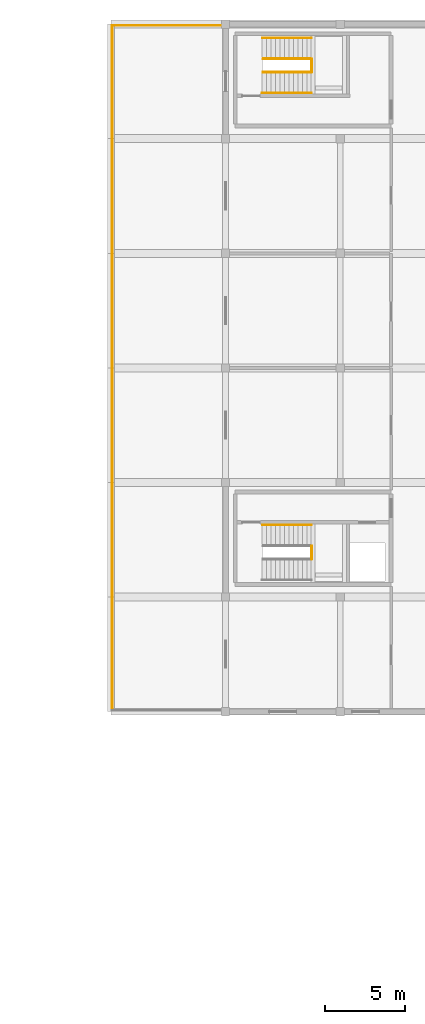
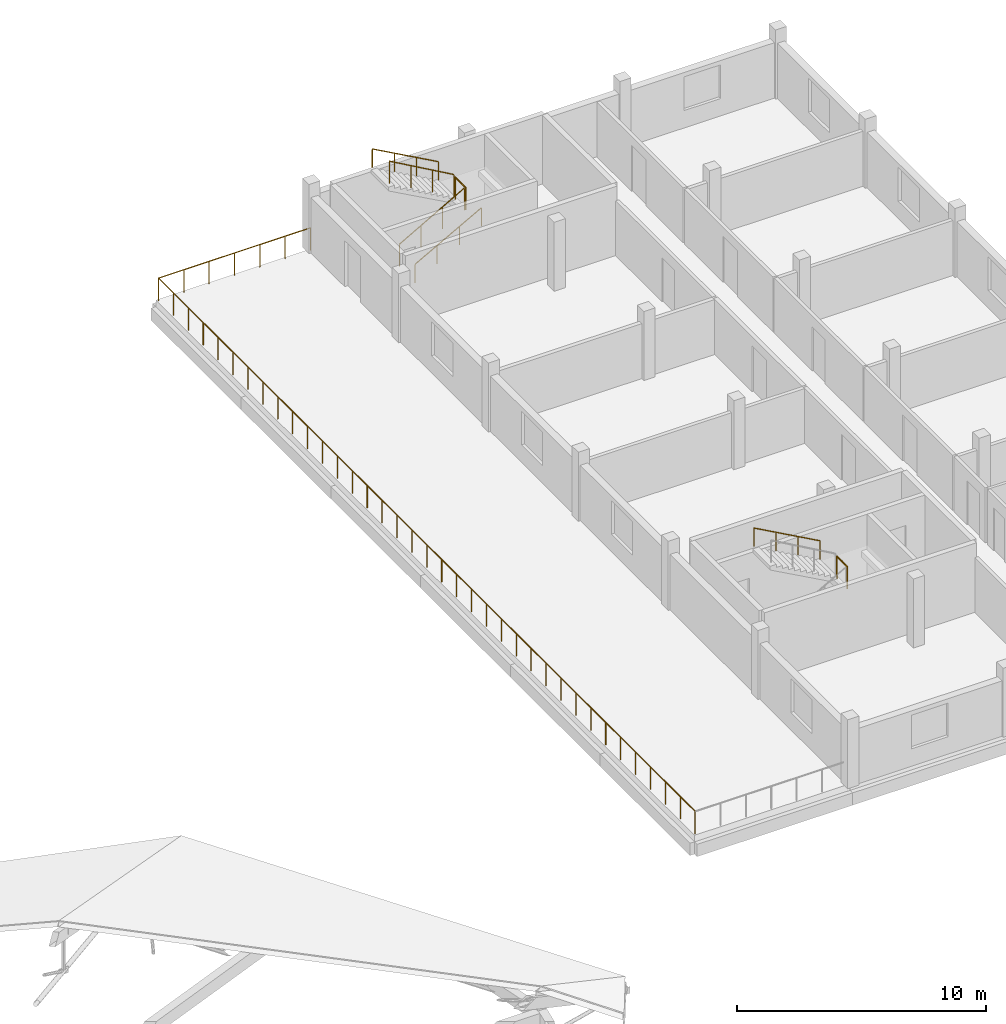
# One storey, part 66 of 66: 9 railings.
"""IFC4 building model written with IfcOpenShell, lengths in metres."""

from ifc_helpers import new_model, si_unit, direction, frame, origin, origin_2d, place, context, subcontext, project, spatial, circle, extrude, material, type_object, element, save


model = new_model("IFC4")

# Units and contexts
model_context = context("Model", 3, precision=1e-05, world=origin(), true_north=direction((0.0, 1.0)))
body_context = subcontext(model_context, "Body", "Model", "MODEL_VIEW")
ifc_project = project(units=[si_unit("LENGTHUNIT", "METRE"), si_unit("AREAUNIT", "SQUARE_METRE"), si_unit("VOLUMEUNIT", "CUBIC_METRE"), si_unit("PLANEANGLEUNIT", "RADIAN"), si_unit("MASSUNIT", "GRAM", prefix="KILO")], contexts=[model_context])

# Site, building, storey
site_placement = place(None, origin())
site = spatial("IfcSite", under=ifc_project, at=site_placement, CompositionType="ELEMENT")
building_placement = place(site_placement, origin())
building = spatial("IfcBuilding", under=site, at=building_placement, Name="Zornivar Specialist Clinic", CompositionType="ELEMENT")
storey_placement = place(building_placement, frame((0.0, 0.0, 16.0)))
storey = spatial("IfcBuildingStorey", under=building, at=storey_placement, Name="L04", CompositionType="ELEMENT", Elevation=16.0)

# Railings
ifc_material_1 = material(Name="Brushed Stainless Steel Stair Guardrail", Category="steel")
railing_type_1 = type_object("IfcRailingType", Name="GRD-INT-STAIR-1100", PredefinedType="GUARDRAIL", material=ifc_material_1)
railing_1_placement = place(storey_placement, frame((149.409912109375, 74.3798828125, 1.85009765625)))
element("IfcRailing", 1, at=railing_1_placement, inside=storey, type_object=railing_type_1, Name="stair:C9:L04:grdl", PredefinedType="GUARDRAIL", context=body_context, shape_type="SweptSolid", body=[
    extrude(circle(Radius=0.02392578125, at=origin_2d()), frame((0.0, 0.0, 1.076171875), z_axis=(0.0, 1.0, 0.0), x_axis=(-1.0, 0.0, 0.0)), (0.0, 0.0, 1.0), 0.840087890625),
    extrude(circle(Radius=0.02099609375, at=origin_2d()), origin(), (0.0, 0.0, 1.0), 1.052001953125),
    extrude(circle(Radius=0.02099609375, at=origin_2d()), frame((0.0, 0.840087890625, 0.0)), (0.0, 0.0, 1.0), 1.052001953125),
])
railing_2_placement = place(storey_placement, frame((146.340087890625, 104.97998046875, 0.154052734375)))
element("IfcRailing", 2, at=railing_2_placement, inside=storey, type_object=railing_type_1, Name="stair:C10:L04:grd1", PredefinedType="GUARDRAIL", context=body_context, shape_type="SweptSolid", body=[
    extrude(circle(Radius=0.02392578125, at=origin_2d()), frame((0.0, 0.0, 1.076171875), z_axis=(0.870514015959, 0.0, 0.492143625396), x_axis=(0.0, 1.0, 0.0)), (0.0, 0.0, 1.0), 3.4462890625),
    extrude(circle(Radius=0.02099609375, at=origin_2d()), origin(), (0.0, 0.0, 1.0), 1.052001953125),
    extrude(circle(Radius=0.02099609375, at=origin_2d()), frame((1.0, 0.0, 0.5654296875)), (0.0, 0.0, 1.0), 1.052001953125),
    extrude(circle(Radius=0.02099609375, at=origin_2d()), frame((2.0, 0.0, 1.130615234375)), (0.0, 0.0, 1.0), 1.052001953125),
    extrude(circle(Radius=0.02099609375, at=origin_2d()), frame((3.0, 0.0, 1.696044921875)), (0.0, 0.0, 1.0), 1.052001953125),
])
railing_3_placement = place(storey_placement, frame((149.340087890625, 105.820068359375, 2.00390625)))
element("IfcRailing", 3, at=railing_3_placement, inside=storey, type_object=railing_type_1, Name="stair:C10:L04:grd2", PredefinedType="GUARDRAIL", context=body_context, shape_type="SweptSolid", body=[
    extrude(circle(Radius=0.02392578125, at=origin_2d()), frame((0.0, 0.0, 1.076171875), z_axis=(-0.869096283189, 0.0, 0.49464295259), x_axis=(0.0, -1.0, 0.0)), (0.0, 0.0, 1.0), 3.4287109375),
    extrude(circle(Radius=0.02099609375, at=origin_2d()), origin(), (0.0, 0.0, 1.0), 1.052001953125),
    extrude(circle(Radius=0.02099609375, at=origin_2d()), frame((-0.993408203125, 0.0, 0.5654296875)), (0.0, 0.0, 1.0), 1.052001953125),
    extrude(circle(Radius=0.02099609375, at=origin_2d()), frame((-1.986572265625, 0.0, 1.130615234375)), (0.0, 0.0, 1.0), 1.052001953125),
    extrude(circle(Radius=0.02099609375, at=origin_2d()), frame((-2.97998046875, 0.0, 1.696044921875)), (0.0, 0.0, 1.0), 1.052001953125),
])
railing_4_placement = place(storey_placement, frame((149.409912109375, 104.97998046875, 1.85009765625)))
element("IfcRailing", 4, at=railing_4_placement, inside=storey, type_object=railing_type_1, Name="stair:C10:L04:grdl", PredefinedType="GUARDRAIL", context=body_context, shape_type="SweptSolid", body=[
    extrude(circle(Radius=0.02392578125, at=origin_2d()), frame((0.0, 0.0, 1.076171875), z_axis=(0.0, 1.0, 0.0), x_axis=(-1.0, 0.0, 0.0)), (0.0, 0.0, 1.0), 0.840087890625),
    extrude(circle(Radius=0.02099609375, at=origin_2d()), origin(), (0.0, 0.0, 1.0), 1.052001953125),
    extrude(circle(Radius=0.02099609375, at=origin_2d()), frame((0.0, 0.840087890625, 0.0)), (0.0, 0.0, 1.0), 1.052001953125),
])
ifc_material_2 = material(Name="Anodised Bronze Terrace Guardrail")
railing_type_2 = type_object("IfcRailingType", Name="GRD-TERR-GUARD-1120", PredefinedType="GUARDRAIL", material=ifc_material_2)
railing_5_placement = place(storey_placement, frame((143.919921875, 107.919921875, 0.0)))
element("IfcRailing", 5, at=railing_5_placement, inside=storey, type_object=railing_type_2, Name="rail:V6:L04:terr:0:2", PredefinedType="GUARDRAIL", context=body_context, shape_type="SweptSolid", body=[
    extrude(circle(Radius=0.02392578125, at=origin_2d()), frame((0.0, 0.0, 1.09619140625), z_axis=(-1.0, 0.0, 0.0), x_axis=(0.0, -1.0, 0.0)), (0.0, 0.0, 1.0), 7.0400390625),
    extrude(circle(Radius=0.02099609375, at=origin_2d()), origin(), (0.0, 0.0, 1.0), 1.072021484375),
    extrude(circle(Radius=0.02099609375, at=origin_2d()), frame((-1.17333984375, 0.0, 0.0)), (0.0, 0.0, 1.0), 1.072021484375),
    extrude(circle(Radius=0.02099609375, at=origin_2d()), frame((-2.3466796875, 0.0, 0.0)), (0.0, 0.0, 1.0), 1.072021484375),
    extrude(circle(Radius=0.02099609375, at=origin_2d()), frame((-3.52001953125, 0.0, 0.0)), (0.0, 0.0, 1.0), 1.072021484375),
    extrude(circle(Radius=0.02099609375, at=origin_2d()), frame((-4.693359375, 0.0, 0.0)), (0.0, 0.0, 1.0), 1.072021484375),
    extrude(circle(Radius=0.02099609375, at=origin_2d()), frame((-5.86669921875, 0.0, 0.0)), (0.0, 0.0, 1.0), 1.072021484375),
    extrude(circle(Radius=0.02099609375, at=origin_2d()), frame((-7.0400390625, 0.0, 0.0)), (0.0, 0.0, 1.0), 1.072021484375),
])
railing_6_placement = place(storey_placement, frame((136.8798828125, 107.919921875, 0.0)))
element("IfcRailing", 6, at=railing_6_placement, inside=storey, type_object=railing_type_2, Name="rail:V6:L04:terr:0:3", PredefinedType="GUARDRAIL", context=body_context, shape_type="SweptSolid", body=[
    extrude(circle(Radius=0.02392578125, at=origin_2d()), frame((0.0, 0.0, 1.09619140625), z_axis=(0.0, -1.0, 0.0), x_axis=(1.0, 0.0, 0.0)), (0.0, 0.0, 1.0), 43.0400390625),
    extrude(circle(Radius=0.02099609375, at=origin_2d()), origin(), (0.0, 0.0, 1.0), 1.072021484375),
    extrude(circle(Radius=0.02099609375, at=origin_2d()), frame((0.0, -1.195556640625, 0.0)), (0.0, 0.0, 1.0), 1.072021484375),
    extrude(circle(Radius=0.02099609375, at=origin_2d()), frame((0.0, -2.39111328125, 0.0)), (0.0, 0.0, 1.0), 1.072021484375),
    extrude(circle(Radius=0.02099609375, at=origin_2d()), frame((0.0, -3.586669921875, 0.0)), (0.0, 0.0, 1.0), 1.072021484375),
    extrude(circle(Radius=0.02099609375, at=origin_2d()), frame((0.0, -4.7822265625, 0.0)), (0.0, 0.0, 1.0), 1.072021484375),
    extrude(circle(Radius=0.02099609375, at=origin_2d()), frame((0.0, -5.977783203125, 0.0)), (0.0, 0.0, 1.0), 1.072021484375),
    extrude(circle(Radius=0.02099609375, at=origin_2d()), frame((0.0, -7.17333984375, 0.0)), (0.0, 0.0, 1.0), 1.072021484375),
    extrude(circle(Radius=0.02099609375, at=origin_2d()), frame((0.0, -8.368896484375, 0.0)), (0.0, 0.0, 1.0), 1.072021484375),
    extrude(circle(Radius=0.02099609375, at=origin_2d()), frame((0.0, -9.564453125, 0.0)), (0.0, 0.0, 1.0), 1.072021484375),
    extrude(circle(Radius=0.02099609375, at=origin_2d()), frame((0.0, -10.760009765625, 0.0)), (0.0, 0.0, 1.0), 1.072021484375),
    extrude(circle(Radius=0.02099609375, at=origin_2d()), frame((0.0, -11.95556640625, 0.0)), (0.0, 0.0, 1.0), 1.072021484375),
    extrude(circle(Radius=0.02099609375, at=origin_2d()), frame((0.0, -13.151123046875, 0.0)), (0.0, 0.0, 1.0), 1.072021484375),
    extrude(circle(Radius=0.02099609375, at=origin_2d()), frame((0.0, -14.3466796875, 0.0)), (0.0, 0.0, 1.0), 1.072021484375),
    extrude(circle(Radius=0.02099609375, at=origin_2d()), frame((0.0, -15.542236328125, 0.0)), (0.0, 0.0, 1.0), 1.072021484375),
    extrude(circle(Radius=0.02099609375, at=origin_2d()), frame((0.0, -16.73779296875, 0.0)), (0.0, 0.0, 1.0), 1.072021484375),
    extrude(circle(Radius=0.02099609375, at=origin_2d()), frame((0.0, -17.933349609375, 0.0)), (0.0, 0.0, 1.0), 1.072021484375),
    extrude(circle(Radius=0.02099609375, at=origin_2d()), frame((0.0, -19.12890625, 0.0)), (0.0, 0.0, 1.0), 1.072021484375),
    extrude(circle(Radius=0.02099609375, at=origin_2d()), frame((0.0, -20.324462890625, 0.0)), (0.0, 0.0, 1.0), 1.072021484375),
    extrude(circle(Radius=0.02099609375, at=origin_2d()), frame((0.0, -21.52001953125, 0.0)), (0.0, 0.0, 1.0), 1.072021484375),
    extrude(circle(Radius=0.02099609375, at=origin_2d()), frame((0.0, -22.715576171875, 0.0)), (0.0, 0.0, 1.0), 1.072021484375),
    extrude(circle(Radius=0.02099609375, at=origin_2d()), frame((0.0, -23.9111328125, 0.0)), (0.0, 0.0, 1.0), 1.072021484375),
    extrude(circle(Radius=0.02099609375, at=origin_2d()), frame((0.0, -25.106689453125, 0.0)), (0.0, 0.0, 1.0), 1.072021484375),
    extrude(circle(Radius=0.02099609375, at=origin_2d()), frame((0.0, -26.30224609375, 0.0)), (0.0, 0.0, 1.0), 1.072021484375),
    extrude(circle(Radius=0.02099609375, at=origin_2d()), frame((0.0, -27.497802734375, 0.0)), (0.0, 0.0, 1.0), 1.072021484375),
    extrude(circle(Radius=0.02099609375, at=origin_2d()), frame((0.0, -28.693359375, 0.0)), (0.0, 0.0, 1.0), 1.072021484375),
    extrude(circle(Radius=0.02099609375, at=origin_2d()), frame((0.0, -29.888916015625, 0.0)), (0.0, 0.0, 1.0), 1.072021484375),
    extrude(circle(Radius=0.02099609375, at=origin_2d()), frame((0.0, -31.08447265625, 0.0)), (0.0, 0.0, 1.0), 1.072021484375),
    extrude(circle(Radius=0.02099609375, at=origin_2d()), frame((0.0, -32.280029296875, 0.0)), (0.0, 0.0, 1.0), 1.072021484375),
    extrude(circle(Radius=0.02099609375, at=origin_2d()), frame((0.0, -33.4755859375, 0.0)), (0.0, 0.0, 1.0), 1.072021484375),
    extrude(circle(Radius=0.02099609375, at=origin_2d()), frame((0.0, -34.671142578125, 0.0)), (0.0, 0.0, 1.0), 1.072021484375),
    extrude(circle(Radius=0.02099609375, at=origin_2d()), frame((0.0, -35.86669921875, 0.0)), (0.0, 0.0, 1.0), 1.072021484375),
    extrude(circle(Radius=0.02099609375, at=origin_2d()), frame((0.0, -37.062255859375, 0.0)), (0.0, 0.0, 1.0), 1.072021484375),
    extrude(circle(Radius=0.02099609375, at=origin_2d()), frame((0.0, -38.2578125, 0.0)), (0.0, 0.0, 1.0), 1.072021484375),
    extrude(circle(Radius=0.02099609375, at=origin_2d()), frame((0.0, -39.453369140625, 0.0)), (0.0, 0.0, 1.0), 1.072021484375),
    extrude(circle(Radius=0.02099609375, at=origin_2d()), frame((0.0, -40.64892578125, 0.0)), (0.0, 0.0, 1.0), 1.072021484375),
    extrude(circle(Radius=0.02099609375, at=origin_2d()), frame((0.0, -41.844482421875, 0.0)), (0.0, 0.0, 1.0), 1.072021484375),
    extrude(circle(Radius=0.02099609375, at=origin_2d()), frame((0.0, -43.0400390625, 0.0)), (0.0, 0.0, 1.0), 1.072021484375),
])
ifc_material_3 = material(Name="Brushed Stainless Steel Continuous Handrail", Category="steel")
railing_type_3 = type_object("IfcRailingType", Name="HRL-STAIR-0920", PredefinedType="HANDRAIL", material=ifc_material_3)
railing_7_placement = place(storey_placement, frame((149.3798828125, 76.530029296875, 2.00390625)))
element("IfcRailing", 7, at=railing_7_placement, inside=storey, type_object=railing_type_3, Name="stair:C9:L04:hr2", PredefinedType="HANDRAIL", context=body_context, shape_type="SweptSolid", body=[
    extrude(circle(Radius=0.02392578125, at=origin_2d()), frame((0.0, 0.0, 0.89599609375), z_axis=(-0.874624303793, 0.0, 0.484801327571), x_axis=(0.0, -1.0, 0.0)), (0.0, 0.0, 1.0), 3.49853515625),
    extrude(circle(Radius=0.02099609375, at=origin_2d()), origin(), (0.0, 0.0, 1.0), 0.871826171875),
    extrude(circle(Radius=0.02099609375, at=origin_2d()), frame((-1.02001953125, 0.0, 0.5654296875)), (0.0, 0.0, 1.0), 0.871826171875),
    extrude(circle(Radius=0.02099609375, at=origin_2d()), frame((-2.039794921875, 0.0, 1.130615234375)), (0.0, 0.0, 1.0), 0.871826171875),
    extrude(circle(Radius=0.02099609375, at=origin_2d()), frame((-3.059814453125, 0.0, 1.696044921875)), (0.0, 0.0, 1.0), 0.871826171875),
])
railing_8_placement = place(storey_placement, frame((146.300048828125, 103.669921875, 0.154052734375)))
element("IfcRailing", 8, at=railing_8_placement, inside=storey, type_object=railing_type_3, Name="stair:C10:L04:hr1", PredefinedType="HANDRAIL", context=body_context, shape_type="SweptSolid", body=[
    extrude(circle(Radius=0.02392578125, at=origin_2d()), frame((0.0, 0.0, 0.89599609375), z_axis=(0.875959224095, 0.0, 0.482385154957), x_axis=(0.0, 1.0, 0.0)), (0.0, 0.0, 1.0), 3.515869140625),
    extrude(circle(Radius=0.02099609375, at=origin_2d()), origin(), (0.0, 0.0, 1.0), 0.871826171875),
    extrude(circle(Radius=0.02099609375, at=origin_2d()), frame((1.026611328125, 0.0, 0.5654296875)), (0.0, 0.0, 1.0), 0.871826171875),
    extrude(circle(Radius=0.02099609375, at=origin_2d()), frame((2.05322265625, 0.0, 1.130615234375)), (0.0, 0.0, 1.0), 0.871826171875),
    extrude(circle(Radius=0.02099609375, at=origin_2d()), frame((3.079833984375, 0.0, 1.696044921875)), (0.0, 0.0, 1.0), 0.871826171875),
])
railing_9_placement = place(storey_placement, frame((149.3798828125, 107.1298828125, 2.00390625)))
element("IfcRailing", 9, at=railing_9_placement, inside=storey, type_object=railing_type_3, Name="stair:C10:L04:hr2", PredefinedType="HANDRAIL", context=body_context, shape_type="SweptSolid", body=[
    extrude(circle(Radius=0.02392578125, at=origin_2d()), frame((0.0, 0.0, 0.89599609375), z_axis=(-0.874624303793, 0.0, 0.484801327571), x_axis=(0.0, -1.0, 0.0)), (0.0, 0.0, 1.0), 3.49853515625),
    extrude(circle(Radius=0.02099609375, at=origin_2d()), origin(), (0.0, 0.0, 1.0), 0.871826171875),
    extrude(circle(Radius=0.02099609375, at=origin_2d()), frame((-1.02001953125, 0.0, 0.5654296875)), (0.0, 0.0, 1.0), 0.871826171875),
    extrude(circle(Radius=0.02099609375, at=origin_2d()), frame((-2.039794921875, 0.0, 1.130615234375)), (0.0, 0.0, 1.0), 0.871826171875),
    extrude(circle(Radius=0.02099609375, at=origin_2d()), frame((-3.059814453125, 0.0, 1.696044921875)), (0.0, 0.0, 1.0), 0.871826171875),
])

save(model, "model.ifc")
